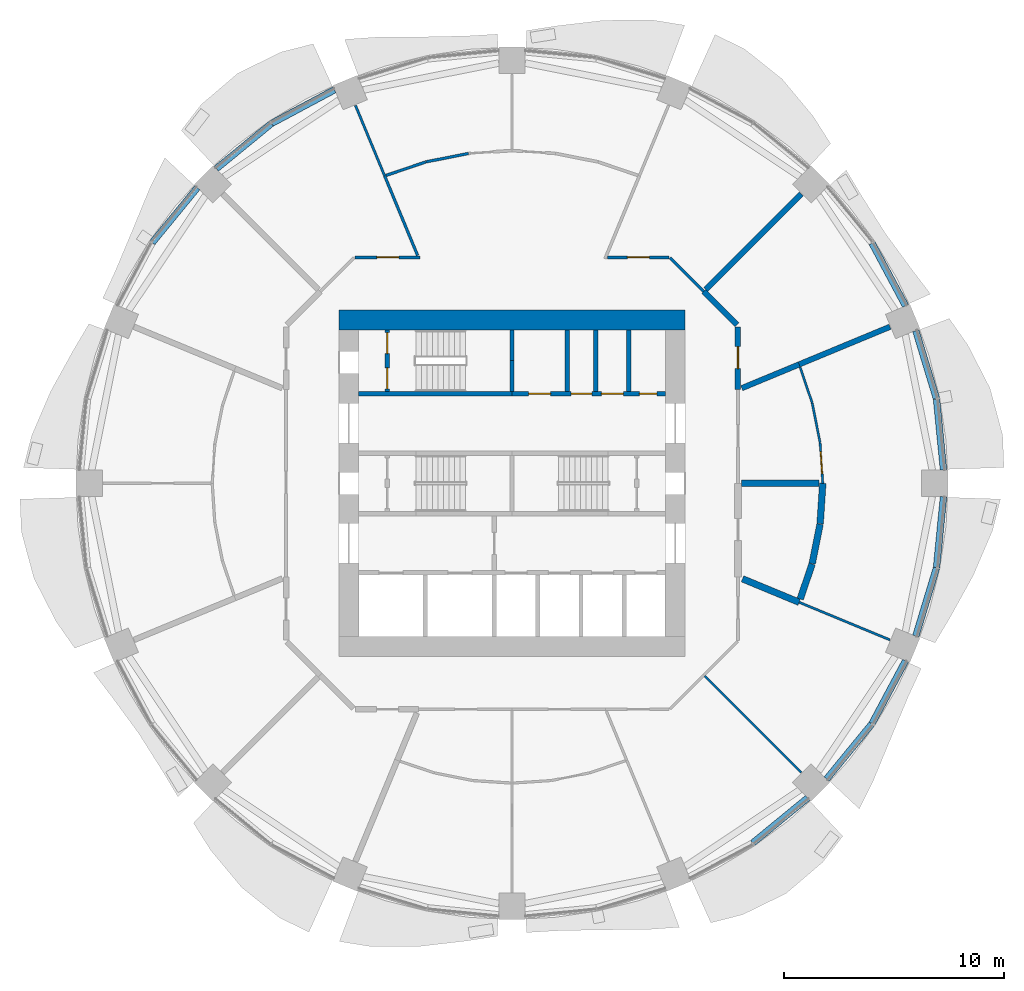
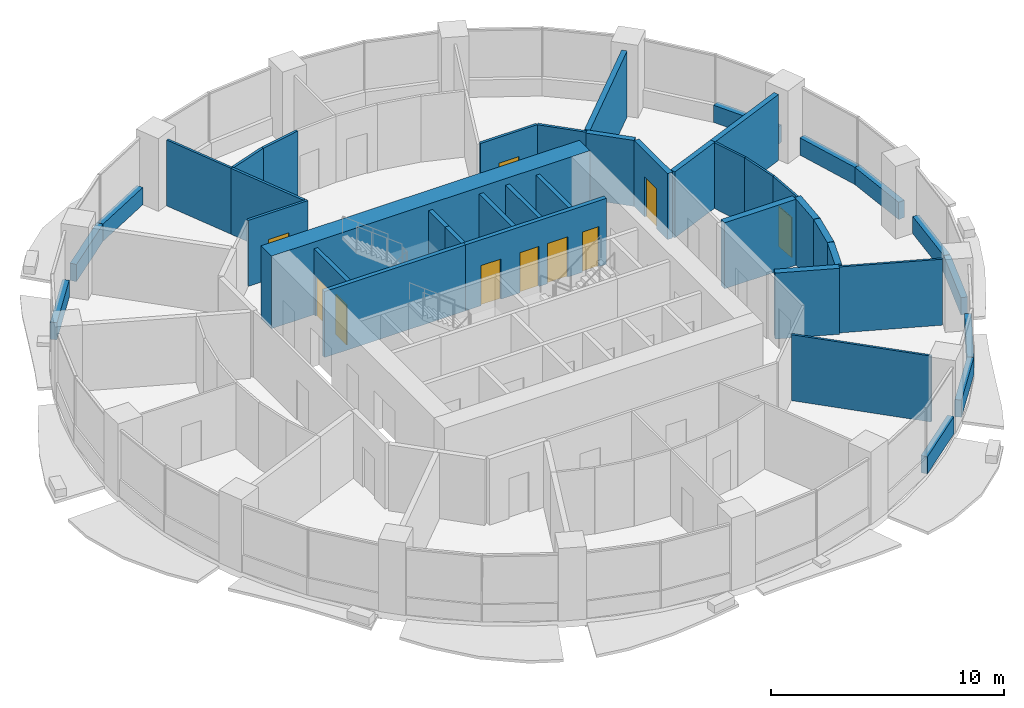
# One storey, part 10 of 15: 42 walls, 10 doors, 10 openings.
"""IFC4 building model written with IfcOpenShell, lengths in metres."""

from ifc_helpers import new_model, si_unit, direction, frame, frame_2d, origin, place, context, subcontext, project, spatial, rectangle, extrude, material, layer, layer_set, type_object, element, fill, save


model = new_model("IFC4")

# Units and contexts
model_context = context("Model", 3, precision=1e-05, world=origin(), true_north=direction((0.0, 1.0)))
body_context = subcontext(model_context, "Body", "Model", "MODEL_VIEW")
ifc_project = project(units=[si_unit("LENGTHUNIT", "METRE"), si_unit("AREAUNIT", "SQUARE_METRE"), si_unit("VOLUMEUNIT", "CUBIC_METRE"), si_unit("PLANEANGLEUNIT", "RADIAN"), si_unit("MASSUNIT", "GRAM", prefix="KILO")], contexts=[model_context])

# Site, building, storey
site_placement = place(None, origin())
site = spatial("IfcSite", under=ifc_project, at=site_placement, CompositionType="ELEMENT")
building_placement = place(site_placement, origin())
building = spatial("IfcBuilding", under=site, at=building_placement, Name="Polderwave Tower", CompositionType="ELEMENT")
storey_placement = place(building_placement, frame((0.0, 0.0, 22.39990234375)))
storey = spatial("IfcBuildingStorey", under=building, at=storey_placement, Name="L05", CompositionType="ELEMENT", Elevation=22.39990234375)

# Walls
ifc_material_1 = material(Name="Concrete C80/95", Category="concrete")
ifc_layer_1 = layer(ifc_material_1, 0.89990234375)
ifc_layer_set_1 = layer_set([ifc_layer_1], Name="CORE WALL 900 C80/95")
wall_type_1 = type_object("IfcWallType", Name="CORE WALL 900 C80/95", PredefinedType="SHEAR", material=ifc_layer_set_1)
wall_1_placement = place(storey_placement, frame((-7.8740234375, 7.424072265625, 0.0), z_axis=(0.0, 0.0, 1.0), x_axis=(1.0, 0.0, 0.0)))
element("IfcWall", 1, at=wall_1_placement, inside=storey, type_object=wall_type_1, Name="ST-CORE-L05-N", PredefinedType="SHEAR", context=body_context, shape_type="SweptSolid", body=[
    extrude(rectangle(XDim=15.748046875, YDim=0.89990234375, at=frame_2d((7.8740234375, 0.0))), origin(), (0.0, 0.0, 1.0), 3.800048828125),
])
ifc_material_2 = material(Name="Insulated sandwich panel")
ifc_layer_2 = layer(ifc_material_2, 0.300048828125)
ifc_layer_set_2 = layer_set([ifc_layer_2], Name="Cold room wall 300 mm insulated panel")
wall_type_2 = type_object("IfcWallType", Name="Cold room wall 300 mm insulated panel", PredefinedType="PARTITIONING", material=ifc_layer_set_2)
wall_2_placement = place(storey_placement, frame((13.10595703125, -5.255615234375, 0.0), z_axis=(0.0, 0.0, 1.0), x_axis=(0.321373224919, 0.946952612492, 0.0)))
element("IfcWall", 2, at=wall_2_placement, inside=storey, type_object=wall_type_2, Name="IN-L05-W027", PredefinedType="PARTITIONING", context=body_context, shape_type="SweptSolid", body=[
    extrude(rectangle(XDim=1.67822265625, YDim=0.300048828125, at=frame_2d((0.839111328125, 0.0))), origin(), (0.0, 0.0, 1.0), 3.4501953125),
])
wall_3_placement = place(storey_placement, frame((13.650390625, -3.6474609375, 0.0), z_axis=(0.0, 0.0, 1.0), x_axis=(0.195063319014, 0.980790651248, 0.0)))
element("IfcWall", 3, at=wall_3_placement, inside=storey, type_object=wall_type_2, Name="IN-L05-W028", PredefinedType="PARTITIONING", context=body_context, shape_type="SweptSolid", body=[
    extrude(rectangle(XDim=1.82861328125, YDim=0.300048828125, at=frame_2d((0.914306640625, 0.0))), origin(), (0.0, 0.0, 1.0), 3.4501953125),
])
wall_4_placement = place(storey_placement, frame((14.009765625, -1.83447265625, 0.0), z_axis=(0.0, 0.0, 1.0), x_axis=(0.065337861842, 0.997863198946, 0.0)))
element("IfcWall", 4, at=wall_4_placement, inside=storey, type_object=wall_type_2, Name="IN-L05-W029", PredefinedType="PARTITIONING", context=body_context, shape_type="SweptSolid", body=[
    extrude(rectangle(XDim=1.83837890625, YDim=0.300048828125, at=frame_2d((0.919189453125, 0.0))), origin(), (0.0, 0.0, 1.0), 3.4501953125),
])
wall_5_placement = place(storey_placement, frame((13.9697265625, 0.0, 0.0), z_axis=(0.0, 0.0, 1.0), x_axis=(-1.0, 0.0, 0.0)))
element("IfcWall", 5, at=wall_5_placement, inside=storey, type_object=wall_type_2, Name="IN-L05-W031", PredefinedType="PARTITIONING", context=body_context, shape_type="SweptSolid", body=[
    extrude(rectangle(XDim=3.545654296875, YDim=0.300048828125, at=frame_2d((1.77294921875, 0.0))), origin(), (0.0, 0.0, 1.0), 3.4501953125),
])
wall_6_placement = place(storey_placement, frame((10.4814453125, -4.341552734375, 0.0), z_axis=(0.0, 0.0, 1.0), x_axis=(0.923891828378, -0.382653746168, 0.0)))
element("IfcWall", 6, at=wall_6_placement, inside=storey, type_object=wall_type_2, Name="IN-L05-W070", PredefinedType="PARTITIONING", context=body_context, shape_type="SweptSolid", body=[
    extrude(rectangle(XDim=2.784912109375, YDim=0.300048828125, at=frame_2d((1.392578125, 0.0))), origin(), (0.0, 0.0, 1.0), 3.4501953125),
])
ifc_material_3 = material(Name="Concrete C50/60 (board-marked)", Category="concrete")
ifc_layer_3 = layer(ifc_material_3, 0.300048828125)
ifc_layer_set_3 = layer_set([ifc_layer_3], Name="Concrete spandrel upstand C50/60")
wall_type_3 = type_object("IfcWallType", Name="Concrete spandrel upstand C50/60", PredefinedType="SOLIDWALL", material=ifc_layer_set_3)
wall_7_placement = place(storey_placement, frame((19.619384765625, 0.61279296875, 0.0), z_axis=(0.0, 0.0, 1.0), x_axis=(-0.097900553906, 0.995196202537, 0.0)))
element("IfcWall", 7, at=wall_7_placement, inside=storey, type_object=wall_type_3, Name="Spandrel L05 1a", PredefinedType="SOLIDWALL", context=body_context, shape_type="SweptSolid", body=[
    extrude(rectangle(XDim=3.226806640625, YDim=0.300048828125, at=frame_2d((1.61328125, 0.0))), origin(), (0.0, 0.0, 1.0), 0.900146484375),
])
wall_8_placement = place(storey_placement, frame((19.297607421875, 3.853515625, 0.0), z_axis=(0.0, 0.0, 1.0), x_axis=(-0.290505111592, 0.95687343998, 0.0)))
element("IfcWall", 8, at=wall_8_placement, inside=storey, type_object=wall_type_3, Name="Spandrel L05 1b", PredefinedType="SOLIDWALL", context=body_context, shape_type="SweptSolid", body=[
    extrude(rectangle(XDim=3.226318359375, YDim=0.300048828125, at=frame_2d((1.61328125, 0.0))), origin(), (0.0, 0.0, 1.0), 0.900146484375),
])
for number, where, z_axis, x_axis, name in (
    (9, (17.890869140625, 8.07421875, 0.0), (0.0, 0.0, 1.0), (-0.471322475968, 0.881960953585, 0.0), "Spandrel L05 2a"),
    (10, (-8.07421875, 17.890869140625, 0.0), (0.0, 0.0, 1.0), (-0.881960953585, -0.471322475968, 0.0), "Spandrel L05 6a"),
    (11, (-10.944580078125, 16.353515625, 0.0), (0.0, 0.0, 1.0), (-0.773252207812, -0.634098591004, 0.0), "Spandrel L05 6b"),
    (12, (-14.3076171875, 13.439453125, 0.0), (0.0, 0.0, 1.0), (-0.634098591004, -0.773252207812, 0.0), "Spandrel L05 7a"),
    (13, (10.944580078125, -16.353515625, 0.0), (0.0, 0.0, 1.0), (0.773252207812, 0.634098591004, 0.0), "Spandrel L05 14b"),
    (14, (14.3076171875, -13.439453125, 0.0), (0.0, 0.0, 1.0), (0.634098591004, 0.773252207812, 0.0), "Spandrel L05 15a"),
    (15, (16.3701171875, -10.919921875, 0.0), (0.0, 0.0, 1.0), (0.471322475968, 0.881960953585, 0.0), "Spandrel L05 15b"),
):
    element("IfcWall", number, at=place(storey_placement, frame(where, z_axis=z_axis, x_axis=x_axis)), inside=storey, type_object=wall_type_3, Name=name, PredefinedType="SOLIDWALL", context=body_context, shape_type="SweptSolid", body=[
        extrude(rectangle(XDim=3.2265625, YDim=0.300048828125, at=frame_2d((1.61328125, 0.0))), origin(), (0.0, 0.0, 1.0), 0.900146484375),
    ])
wall_9_placement = place(storey_placement, frame((18.3603515625, -6.940673828125, 0.0), z_axis=(0.0, 0.0, 1.0), x_axis=(0.290505111592, 0.95687343998, 0.0)))
element("IfcWall", 16, at=wall_9_placement, inside=storey, type_object=wall_type_3, Name="Spandrel L05 16a", PredefinedType="SOLIDWALL", context=body_context, shape_type="SweptSolid", body=[
    extrude(rectangle(XDim=3.226318359375, YDim=0.300048828125, at=frame_2d((1.61328125, 0.0))), origin(), (0.0, 0.0, 1.0), 0.900146484375),
])
wall_10_placement = place(storey_placement, frame((19.303466796875, -3.82421875, 0.0), z_axis=(0.0, 0.0, 1.0), x_axis=(0.097900553906, 0.995196202537, 0.0)))
element("IfcWall", 17, at=wall_10_placement, inside=storey, type_object=wall_type_3, Name="Spandrel L05 16b", PredefinedType="SOLIDWALL", context=body_context, shape_type="SweptSolid", body=[
    extrude(rectangle(XDim=3.226806640625, YDim=0.300048828125, at=frame_2d((1.61328125, 0.0))), origin(), (0.0, 0.0, 1.0), 0.900146484375),
])
ifc_material_4 = material(Name="Gypsum board partition")
ifc_layer_4 = layer(ifc_material_4, 0.199951171875)
ifc_layer_set_4 = layer_set([ifc_layer_4], Name="Core room partition 200")
wall_type_4 = type_object("IfcWallType", Name="Core room partition 200", PredefinedType="PARTITIONING", material=ifc_layer_set_4)
for number, where, z_axis, x_axis, name in (
    (18, (2.506591796875, 4.174072265625, 0.0), (0.0, 0.0, 1.0), (0.0, 1.0, 0.0), "L05 room partition N1"),
    (19, (3.813720703125, 4.174072265625, 0.0), (0.0, 0.0, 1.0), (0.0, 1.0, 0.0), "L05 room partition N2"),
):
    element("IfcWall", number, at=place(storey_placement, frame(where, z_axis=z_axis, x_axis=x_axis)), inside=storey, type_object=wall_type_4, Name=name, PredefinedType="PARTITIONING", context=body_context, shape_type="SweptSolid", body=[
        extrude(rectangle(XDim=2.800048828125, YDim=0.199951171875, at=frame_2d((1.39990234375, 0.0))), origin(), (0.0, 0.0, 1.0), 3.4501953125),
    ])

# Wall, openings, doors
wall_11_placement = place(storey_placement, frame((-5.674072265625, 4.174072265625, 0.0), z_axis=(0.0, 0.0, 1.0), x_axis=(0.0, 1.0, 0.0)))
wall_11 = element("IfcWall", 20, at=wall_11_placement, inside=storey, type_object=wall_type_4, Name="L05 smoke lobby wall C", PredefinedType="PARTITIONING", context=body_context, shape_type="SweptSolid", body=[
    extrude(rectangle(XDim=2.800048828125, YDim=0.199951171875, at=frame_2d((1.39990234375, 0.0))), origin(), (0.0, 0.0, 1.0), 3.4501953125),
])
opening_1_placement = place(wall_11_placement, frame((0.125, 0.0, 0.0)))
opening_1 = element("IfcOpeningElement", 21, at=opening_1_placement, cuts=wall_11, Name="Opening L05-D11", PredefinedType="OPENING", context=body_context, shape_type="SweptSolid", body=[
    extrude(rectangle(XDim=0.949951171875, YDim=2.10009765625, at=frame_2d((0.47509765625, 1.050048828125))), frame((0.0, 0.10986328125, 0.0), z_axis=(0.0, -1.0, 0.0), x_axis=(1.0, 0.0, 0.0)), (0.0, 0.0, 1.0), 0.219970703125),
])
opening_2_placement = place(wall_11_placement, frame((1.72509765625, 0.0, 0.0)))
opening_2 = element("IfcOpeningElement", 22, at=opening_2_placement, cuts=wall_11, Name="Opening L05-D12", PredefinedType="OPENING", context=body_context, shape_type="SweptSolid", body=[
    extrude(rectangle(XDim=0.949951171875, YDim=2.10009765625, at=frame_2d((0.47509765625, 1.050048828125))), frame((0.0, 0.10986328125, 0.0), z_axis=(0.0, -1.0, 0.0), x_axis=(1.0, 0.0, 0.0)), (0.0, 0.0, 1.0), 0.219970703125),
])
ifc_material_5 = material(Name="Steel fire door", Category="steel")
door_type_1 = type_object("IfcDoorType", Name="Smoke lobby door 950", OperationType="NOTDEFINED", PredefinedType="DOOR", material=ifc_material_5)
door_1_placement = place(opening_1_placement, origin())
door_1 = element("IfcDoor", 23, at=door_1_placement, inside=storey, type_object=door_type_1, Name="Stair C smoke lobby inner door", OperationType="SINGLE_SWING_LEFT", OverallHeight=2.10009765625, OverallWidth=0.949951171875, PredefinedType="DOOR", context=body_context, shape_type="SweptSolid", body=[
    extrude(rectangle(XDim=0.949951171875, YDim=2.10009765625, at=frame_2d((0.47509765625, 1.050048828125))), frame((0.0, 0.02490234375, 0.0), z_axis=(0.0, -1.0, 0.0), x_axis=(1.0, 0.0, 0.0)), (0.0, 0.0, 1.0), 0.050048828125),
])
fill(opening_1, door_1)
door_2_placement = place(opening_2_placement, origin())
door_2 = element("IfcDoor", 24, at=door_2_placement, inside=storey, type_object=door_type_1, Name="Stair C smoke lobby inner door", OperationType="SINGLE_SWING_RIGHT", OverallHeight=2.10009765625, OverallWidth=0.949951171875, PredefinedType="DOOR", context=body_context, shape_type="SweptSolid", body=[
    extrude(rectangle(XDim=0.949951171875, YDim=2.10009765625, at=frame_2d((0.47509765625, 1.050048828125))), frame((0.0, 0.02490234375, 0.0), z_axis=(0.0, -1.0, 0.0), x_axis=(1.0, 0.0, 0.0)), (0.0, 0.0, 1.0), 0.050048828125),
])
fill(opening_2, door_2)

# Wall
ifc_material_6 = material(Name="Concrete C50/60", Category="concrete")
ifc_layer_5 = layer(ifc_material_6, 0.199951171875)
ifc_layer_set_5 = layer_set([ifc_layer_5], Name="Core web wall 200")
wall_type_5 = type_object("IfcWallType", Name="Core web wall 200", PredefinedType="SHEAR", material=ifc_layer_set_5)
wall_12_placement = place(storey_placement, frame((-6.97412109375, 4.073974609375, 0.0), z_axis=(0.0, 0.0, 1.0), x_axis=(1.0, 0.0, 0.0)))
element("IfcWall", 25, at=wall_12_placement, inside=storey, type_object=wall_type_5, Name="L05 north front wall 1", PredefinedType="SHEAR", context=body_context, shape_type="SweptSolid", body=[
    extrude(rectangle(XDim=6.97412109375, YDim=0.199951171875, at=frame_2d((3.487060546875, 0.0))), origin(), (0.0, 0.0, 1.0), 3.4501953125),
])

# Wall, openings, doors
wall_13_placement = place(storey_placement, frame((0.0, 4.073974609375, 0.0), z_axis=(0.0, 0.0, 1.0), x_axis=(1.0, 0.0, 0.0)))
wall_13 = element("IfcWall", 26, at=wall_13_placement, inside=storey, type_object=wall_type_5, Name="L05 north front wall 2", PredefinedType="SHEAR", context=body_context, shape_type="SweptSolid", body=[
    extrude(rectangle(XDim=6.97412109375, YDim=0.199951171875, at=frame_2d((3.487060546875, 0.0))), origin(), (0.0, 0.0, 1.0), 3.4501953125),
])
opening_3_placement = place(wall_13_placement, frame((0.75341796875, 0.0, 0.0)))
opening_3 = element("IfcOpeningElement", 27, at=opening_3_placement, cuts=wall_13, Name="Opening L05-D14", PredefinedType="OPENING", context=body_context, shape_type="SweptSolid", body=[
    extrude(rectangle(XDim=1.0, YDim=2.10009765625, at=frame_2d((0.5, 1.050048828125))), frame((0.0, 0.10986328125, 0.0), z_axis=(0.0, -1.0, 0.0), x_axis=(1.0, 0.0, 0.0)), (0.0, 0.0, 1.0), 0.219970703125),
])
opening_4_placement = place(wall_13_placement, frame((2.685302734375, 0.0, 0.0)))
opening_4 = element("IfcOpeningElement", 28, at=opening_4_placement, cuts=wall_13, Name="Opening L05-D15", PredefinedType="OPENING", context=body_context, shape_type="SweptSolid", body=[
    extrude(rectangle(XDim=0.949951171875, YDim=2.10009765625, at=frame_2d((0.47509765625, 1.050048828125))), frame((0.0, 0.10986328125, 0.0), z_axis=(0.0, -1.0, 0.0), x_axis=(1.0, 0.0, 0.0)), (0.0, 0.0, 1.0), 0.219970703125),
])
opening_5_placement = place(wall_13_placement, frame((4.0595703125, 0.0, 0.0)))
opening_5 = element("IfcOpeningElement", 29, at=opening_5_placement, cuts=wall_13, Name="Opening L05-D16", PredefinedType="OPENING", context=body_context, shape_type="SweptSolid", body=[
    extrude(rectangle(XDim=1.0, YDim=2.10009765625, at=frame_2d((0.5, 1.050048828125))), frame((0.0, 0.10986328125, 0.0), z_axis=(0.0, -1.0, 0.0), x_axis=(1.0, 0.0, 0.0)), (0.0, 0.0, 1.0), 0.219970703125),
])
opening_6_placement = place(wall_13_placement, frame((5.789794921875, 0.0, 0.0)))
opening_6 = element("IfcOpeningElement", 30, at=opening_6_placement, cuts=wall_13, Name="Opening L05-D17", PredefinedType="OPENING", context=body_context, shape_type="SweptSolid", body=[
    extrude(rectangle(XDim=0.800048828125, YDim=2.10009765625, at=frame_2d((0.39990234375, 1.050048828125))), frame((0.0, 0.10986328125, 0.0), z_axis=(0.0, -1.0, 0.0), x_axis=(1.0, 0.0, 0.0)), (0.0, 0.0, 1.0), 0.219970703125),
])
door_type_2 = type_object("IfcDoorType", Name="Riser door 800", OperationType="NOTDEFINED", PredefinedType="DOOR", material=ifc_material_5)
door_3_placement = place(opening_6_placement, frame((0.800048828125, 0.0, 0.0), z_axis=(0.0, 0.0, 1.0), x_axis=(-1.0, 0.0, 0.0)))
door_3 = element("IfcDoor", 31, at=door_3_placement, inside=storey, type_object=door_type_2, Name="Riser door", OperationType="SINGLE_SWING_LEFT", OverallHeight=2.10009765625, OverallWidth=0.800048828125, PredefinedType="DOOR", context=body_context, shape_type="SweptSolid", body=[
    extrude(rectangle(XDim=0.800048828125, YDim=2.10009765625, at=frame_2d((0.39990234375, 1.050048828125))), frame((0.0, 0.02490234375, 0.0), z_axis=(0.0, -1.0, 0.0), x_axis=(1.0, 0.0, 0.0)), (0.0, 0.0, 1.0), 0.050048828125),
])
fill(opening_6, door_3)
ifc_material_7 = material(Name="Timber door leaf", Category="wood")
door_type_3 = type_object("IfcDoorType", Name="Room door 1000", OperationType="NOTDEFINED", PredefinedType="DOOR", material=ifc_material_7)
door_4_placement = place(opening_3_placement, origin())
door_4 = element("IfcDoor", 32, at=door_4_placement, inside=storey, type_object=door_type_3, Name="Seed store door", OperationType="SINGLE_SWING_LEFT", OverallHeight=2.10009765625, OverallWidth=1.0, PredefinedType="DOOR", context=body_context, shape_type="SweptSolid", body=[
    extrude(rectangle(XDim=1.0, YDim=2.10009765625, at=frame_2d((0.5, 1.050048828125))), frame((0.0, 0.02490234375, 0.0), z_axis=(0.0, -1.0, 0.0), x_axis=(1.0, 0.0, 0.0)), (0.0, 0.0, 1.0), 0.050048828125),
])
fill(opening_3, door_4)
door_5_placement = place(opening_5_placement, origin())
door_5 = element("IfcDoor", 33, at=door_5_placement, inside=storey, type_object=door_type_3, Name="Staff WC door", OperationType="SINGLE_SWING_RIGHT", OverallHeight=2.10009765625, OverallWidth=1.0, PredefinedType="DOOR", context=body_context, shape_type="SweptSolid", body=[
    extrude(rectangle(XDim=1.0, YDim=2.10009765625, at=frame_2d((0.5, 1.050048828125))), frame((0.0, 0.02490234375, 0.0), z_axis=(0.0, -1.0, 0.0), x_axis=(1.0, 0.0, 0.0)), (0.0, 0.0, 1.0), 0.050048828125),
])
fill(opening_5, door_5)
door_type_4 = type_object("IfcDoorType", Name="Room door 950", OperationType="NOTDEFINED", PredefinedType="DOOR", material=ifc_material_7)
door_6_placement = place(opening_4_placement, origin())
door_6 = element("IfcDoor", 34, at=door_6_placement, inside=storey, type_object=door_type_4, Name="Cleaner's store door", OperationType="SINGLE_SWING_LEFT", OverallHeight=2.10009765625, OverallWidth=0.949951171875, PredefinedType="DOOR", context=body_context, shape_type="SweptSolid", body=[
    extrude(rectangle(XDim=0.949951171875, YDim=2.10009765625, at=frame_2d((0.47509765625, 1.050048828125))), frame((0.0, 0.02490234375, 0.0), z_axis=(0.0, -1.0, 0.0), x_axis=(1.0, 0.0, 0.0)), (0.0, 0.0, 1.0), 0.050048828125),
])
fill(opening_4, door_6)

# Walls
wall_14_placement = place(storey_placement, frame((0.0, 4.174072265625, 0.0), z_axis=(0.0, 0.0, 1.0), x_axis=(0.0, 1.0, 0.0)))
element("IfcWall", 35, at=wall_14_placement, inside=storey, type_object=wall_type_5, Name="L05 stair C wall south", PredefinedType="SHEAR", context=body_context, shape_type="SweptSolid", body=[
    extrude(rectangle(XDim=1.39990234375, YDim=0.199951171875, at=frame_2d((0.699951171875, 0.0))), origin(), (0.0, 0.0, 1.0), 3.4501953125),
])
wall_15_placement = place(storey_placement, frame((0.0, 5.573974609375, 0.0), z_axis=(0.0, 0.0, 1.0), x_axis=(0.0, 1.0, 0.0)))
element("IfcWall", 36, at=wall_15_placement, inside=storey, type_object=wall_type_5, Name="L05 stair C wall north", PredefinedType="SHEAR", context=body_context, shape_type="SweptSolid", body=[
    extrude(rectangle(XDim=1.400146484375, YDim=0.199951171875, at=frame_2d((0.7001953125, 0.0))), origin(), (0.0, 0.0, 1.0), 3.4501953125),
])

# Wall, opening, door
ifc_material_8 = material(Name="Fire-resisting board on steel studs", Category="steel")
ifc_layer_6 = layer(ifc_material_8, 0.125)
ifc_layer_set_6 = layer_set([ifc_layer_6], Name="Corridor wall 125 mm EI 60")
wall_type_6 = type_object("IfcWallType", Name="Corridor wall 125 mm EI 60", PredefinedType="PARTITIONING", material=ifc_layer_set_6)
wall_16_placement = place(storey_placement, frame((4.34912109375, 10.27392578125, 0.0), z_axis=(0.0, 0.0, 1.0), x_axis=(1.0, 0.0, 0.0)))
wall_16 = element("IfcWall", 37, at=wall_16_placement, inside=storey, type_object=wall_type_6, Name="IN-L05-W007", PredefinedType="PARTITIONING", context=body_context, shape_type="SweptSolid", body=[
    extrude(rectangle(XDim=2.796142578125, YDim=0.125, at=frame_2d((1.39794921875, 0.0))), origin(), (0.0, 0.0, 1.0), 3.4501953125),
])
opening_7_placement = place(wall_16_placement, frame((0.89990234375, 0.0, 0.0)))
opening_7 = element("IfcOpeningElement", 38, at=opening_7_placement, cuts=wall_16, Name="Opening L05-D54", PredefinedType="OPENING", context=body_context, shape_type="SweptSolid", body=[
    extrude(rectangle(XDim=1.0, YDim=2.10009765625, at=frame_2d((0.5, 1.050048828125))), frame((0.0, 0.072509765625, 0.0), z_axis=(0.0, -1.0, 0.0), x_axis=(1.0, 0.0, 0.0)), (0.0, 0.0, 1.0), 0.14501953125),
])
ifc_material_9 = material(Name="Timber fire door leaf", Category="wood")
door_type_5 = type_object("IfcDoorType", Name="Fire door FD30S 1000 x 2100", OperationType="NOTDEFINED", PredefinedType="DOOR", material=ifc_material_9)
door_7_placement = place(opening_7_placement, origin())
door_7 = element("IfcDoor", 39, at=door_7_placement, inside=storey, type_object=door_type_5, Name="Door L05-D54", OperationType="SINGLE_SWING_RIGHT", OverallHeight=2.10009765625, OverallWidth=1.0, PredefinedType="DOOR", context=body_context, shape_type="SweptSolid", body=[
    extrude(rectangle(XDim=1.0, YDim=2.10009765625, at=frame_2d((0.5, 1.050048828125))), frame((0.0, 0.02490234375, 0.0), z_axis=(0.0, -1.0, 0.0), x_axis=(1.0, 0.0, 0.0)), (0.0, 0.0, 1.0), 0.050048828125),
])
fill(opening_7, door_7)

# Wall
wall_17_placement = place(storey_placement, frame((7.189453125, 10.255615234375, 0.0), z_axis=(0.0, 0.0, 1.0), x_axis=(0.707050476152, -0.707163081738, 0.0)))
element("IfcWall", 40, at=wall_17_placement, inside=storey, type_object=wall_type_6, Name="IN-L05-W008", PredefinedType="PARTITIONING", context=body_context, shape_type="SweptSolid", body=[
    extrude(rectangle(XDim=2.168212890625, YDim=0.125, at=frame_2d((1.083984375, 0.0))), origin(), (0.0, 0.0, 1.0), 3.4501953125),
])

# Wall, opening, door
wall_18_placement = place(storey_placement, frame((-7.145263671875, 10.27392578125, 0.0), z_axis=(0.0, 0.0, 1.0), x_axis=(1.0, 0.0, 0.0)))
wall_18 = element("IfcWall", 41, at=wall_18_placement, inside=storey, type_object=wall_type_6, Name="IN-L05-W010", PredefinedType="PARTITIONING", context=body_context, shape_type="SweptSolid", body=[
    extrude(rectangle(XDim=2.9521484375, YDim=0.125, at=frame_2d((1.47607421875, 0.0))), origin(), (0.0, 0.0, 1.0), 3.4501953125),
])
opening_8_placement = place(wall_18_placement, frame((1.0, 0.0, 0.0)))
opening_8 = element("IfcOpeningElement", 42, at=opening_8_placement, cuts=wall_18, Name="Opening L05-D55", PredefinedType="OPENING", context=body_context, shape_type="SweptSolid", body=[
    extrude(rectangle(XDim=1.0, YDim=2.10009765625, at=frame_2d((0.5, 1.050048828125))), frame((0.0, 0.072509765625, 0.0), z_axis=(0.0, -1.0, 0.0), x_axis=(1.0, 0.0, 0.0)), (0.0, 0.0, 1.0), 0.14501953125),
])
door_8_placement = place(opening_8_placement, origin())
door_8 = element("IfcDoor", 43, at=door_8_placement, inside=storey, type_object=door_type_5, Name="Door L05-D55", OperationType="SINGLE_SWING_RIGHT", OverallHeight=2.10009765625, OverallWidth=1.0, PredefinedType="DOOR", context=body_context, shape_type="SweptSolid", body=[
    extrude(rectangle(XDim=1.0, YDim=2.10009765625, at=frame_2d((0.5, 1.050048828125))), frame((0.0, 0.02490234375, 0.0), z_axis=(0.0, -1.0, 0.0), x_axis=(1.0, 0.0, 0.0)), (0.0, 0.0, 1.0), 0.050048828125),
])
fill(opening_8, door_8)

# Walls
wall_19_placement = place(storey_placement, frame((-5.726806640625, 13.999755859375, 0.0), z_axis=(0.0, 0.0, 1.0), x_axis=(0.946902903594, 0.321519659064, 0.0)))
element("IfcWall", 44, at=wall_19_placement, inside=storey, type_object=wall_type_6, Name="IN-L05-W039", PredefinedType="PARTITIONING", context=body_context, shape_type="SweptSolid", body=[
    extrude(rectangle(XDim=1.908203125, YDim=0.125, at=frame_2d((0.9541015625, 0.0))), origin(), (0.0, 0.0, 1.0), 3.4501953125),
])
wall_20_placement = place(storey_placement, frame((-3.911865234375, 14.615234375, 0.0), z_axis=(0.0, 0.0, 1.0), x_axis=(0.980780283586, 0.195115441032, 0.0)))
element("IfcWall", 45, at=wall_20_placement, inside=storey, type_object=wall_type_6, Name="IN-L05-W040", PredefinedType="PARTITIONING", context=body_context, shape_type="SweptSolid", body=[
    extrude(rectangle(XDim=1.970703125, YDim=0.125, at=frame_2d((0.9853515625, 0.0))), origin(), (0.0, 0.0, 1.0), 3.4501953125),
])
wall_21_placement = place(storey_placement, frame((-4.29150390625, 10.3603515625, 0.0), z_axis=(0.0, 0.0, 1.0), x_axis=(-0.382671151459, 0.923884619334, 0.0)))
element("IfcWall", 46, at=wall_21_placement, inside=storey, type_object=wall_type_6, Name="IN-L05-W042", PredefinedType="PARTITIONING", context=body_context, shape_type="SweptSolid", body=[
    extrude(rectangle(XDim=3.916015625, YDim=0.125, at=frame_2d((1.9580078125, 0.0))), origin(), (0.0, 0.0, 1.0), 3.4501953125),
])
ifc_material_10 = material(Name="Plasterboard on steel studs", Category="steel")
ifc_layer_7 = layer(ifc_material_10, 0.10009765625)
ifc_layer_set_7 = layer_set([ifc_layer_7], Name="Partition 100 mm plasterboard on steel studs")
wall_type_7 = type_object("IfcWallType", Name="Partition 100 mm plasterboard on steel studs", PredefinedType="PARTITIONING", material=ifc_layer_set_7)
wall_22_placement = place(storey_placement, frame((13.6474609375, 3.66015625, 0.0), z_axis=(0.0, 0.0, 1.0), x_axis=(-0.321428439626, 0.946933872137, 0.0)))
element("IfcWall", 47, at=wall_22_placement, inside=storey, type_object=wall_type_7, Name="IN-L05-W022", PredefinedType="PARTITIONING", context=body_context, shape_type="SweptSolid", body=[
    extrude(rectangle(XDim=1.716552734375, YDim=0.10009765625, at=frame_2d((0.8583984375, 0.0))), origin(), (0.0, 0.0, 1.0), 3.4501953125),
])
wall_23_placement = place(storey_placement, frame((14.008544921875, 1.847412109375, 0.0), z_axis=(0.0, 0.0, 1.0), x_axis=(-0.195121867222, 0.980779005144, 0.0)))
element("IfcWall", 48, at=wall_23_placement, inside=storey, type_object=wall_type_7, Name="IN-L05-W023", PredefinedType="PARTITIONING", context=body_context, shape_type="SweptSolid", body=[
    extrude(rectangle(XDim=1.841796875, YDim=0.10009765625, at=frame_2d((0.9208984375, 0.0))), origin(), (0.0, 0.0, 1.0), 3.4501953125),
])

# Wall, opening, door
wall_24_placement = place(storey_placement, frame((14.00927734375, 1.841064453125, 0.0), z_axis=(0.0, 0.0, 1.0), x_axis=(0.065368443291, -0.99786119607, 0.0)))
wall_24 = element("IfcWall", 49, at=wall_24_placement, inside=storey, type_object=wall_type_7, Name="IN-L05-W024", PredefinedType="PARTITIONING", context=body_context, shape_type="SweptSolid", body=[
    extrude(rectangle(XDim=1.844970703125, YDim=0.10009765625, at=frame_2d((0.92236328125, 0.0))), origin(), (0.0, 0.0, 1.0), 3.4501953125),
])
opening_9_placement = place(wall_24_placement, frame((0.39990234375, 0.0, 0.0)))
opening_9 = element("IfcOpeningElement", 50, at=opening_9_placement, cuts=wall_24, Name="Opening L05-D63", PredefinedType="OPENING", context=body_context, shape_type="SweptSolid", body=[
    extrude(rectangle(XDim=1.0, YDim=2.10009765625, at=frame_2d((0.5, 1.050048828125))), frame((0.0, 0.06005859375, 0.0), z_axis=(0.0, -1.0, 0.0), x_axis=(1.0, 0.0, 0.0)), (0.0, 0.0, 1.0), 0.1201171875),
])
ifc_material_11 = material(Name="Timber veneer door leaf", Category="wood")
door_type_6 = type_object("IfcDoorType", Name="Single door 1000 x 2100", OperationType="NOTDEFINED", PredefinedType="DOOR", material=ifc_material_11)
door_9_placement = place(opening_9_placement, origin())
door_9 = element("IfcDoor", 51, at=door_9_placement, inside=storey, type_object=door_type_6, Name="Door L05-D63", OperationType="SINGLE_SWING_LEFT", OverallHeight=2.10009765625, OverallWidth=1.0, PredefinedType="DOOR", context=body_context, shape_type="SweptSolid", body=[
    extrude(rectangle(XDim=1.0, YDim=2.10009765625, at=frame_2d((0.5, 1.050048828125))), frame((0.0, 0.02490234375, 0.0), z_axis=(0.0, -1.0, 0.0), x_axis=(1.0, 0.0, 0.0)), (0.0, 0.0, 1.0), 0.050048828125),
])
fill(opening_9, door_9)

# Walls
ifc_material_12 = material(Name="Moisture-resistant board on steel studs, tiled", Category="steel")
ifc_layer_8 = layer(ifc_material_12, 0.10498046875)
ifc_layer_set_8 = layer_set([ifc_layer_8], Name="Partition 105 mm wet room board and tile")
wall_type_8 = type_object("IfcWallType", Name="Partition 105 mm wet room board and tile", PredefinedType="PARTITIONING", material=ifc_layer_set_8)
wall_25_placement = place(storey_placement, frame((17.18408203125, -7.117919921875, 0.0), z_axis=(0.0, 0.0, 1.0), x_axis=(-0.92386837853, 0.382710359347, 0.0)))
element("IfcWall", 52, at=wall_25_placement, inside=storey, type_object=wall_type_8, Name="IN-L05-W026", PredefinedType="PARTITIONING", context=body_context, shape_type="SweptSolid", body=[
    extrude(rectangle(XDim=4.469970703125, YDim=0.10498046875, at=frame_2d((2.23486328125, 0.0))), origin(), (0.0, 0.0, 1.0), 3.4501953125),
])
wall_26_placement = place(storey_placement, frame((8.7666015625, -8.7666015625, 0.0), z_axis=(0.0, 0.0, 1.0), x_axis=(0.707106781187, -0.707106781187, 0.0)))
element("IfcWall", 53, at=wall_26_placement, inside=storey, type_object=wall_type_8, Name="IN-L05-W069", PredefinedType="PARTITIONING", context=body_context, shape_type="SweptSolid", body=[
    extrude(rectangle(XDim=6.2021484375, YDim=0.10498046875, at=frame_2d((3.10107421875, 0.0))), origin(), (0.0, 0.0, 1.0), 3.4501953125),
])
ifc_material_13 = material(Name="Acoustic double plasterboard on steel studs", Category="steel")
ifc_layer_9 = layer(ifc_material_13, 0.110107421875)
ifc_layer_set_9 = layer_set([ifc_layer_9], Name="Partition 110 mm acoustic double board")
wall_type_9 = type_object("IfcWallType", Name="Partition 110 mm acoustic double board", PredefinedType="PARTITIONING", material=ifc_layer_set_9)
wall_27_placement = place(storey_placement, frame((-5.7900390625, 13.978271484375, 0.0), z_axis=(0.0, 0.0, 1.0), x_axis=(-0.382681133009, 0.923880484932, 0.0)))
element("IfcWall", 54, at=wall_27_placement, inside=storey, type_object=wall_type_9, Name="IN-L05-W043", PredefinedType="PARTITIONING", context=body_context, shape_type="SweptSolid", body=[
    extrude(rectangle(XDim=3.469970703125, YDim=0.110107421875, at=frame_2d((1.73486328125, 0.0))), origin(), (0.0, 0.0, 1.0), 3.4501953125),
])
ifc_material_14 = material(Name="Fire-resisting board on steel studs, mineral wool", Category="steel")
ifc_layer_10 = layer(ifc_material_14, 0.25)
ifc_layer_set_10 = layer_set([ifc_layer_10], Name="Plant room wall 250 mm EI 120")
wall_type_10 = type_object("IfcWallType", Name="Plant room wall 250 mm EI 120", PredefinedType="PARTITIONING", material=ifc_layer_set_10)
wall_28_placement = place(storey_placement, frame((8.722412109375, 8.722412109375, 0.0), z_axis=(0.0, 0.0, 1.0), x_axis=(0.707163762272, -0.707049795509, 0.0)))
element("IfcWall", 55, at=wall_28_placement, inside=storey, type_object=wall_type_10, Name="IN-L05-W002", PredefinedType="PARTITIONING", context=body_context, shape_type="SweptSolid", body=[
    extrude(rectangle(XDim=2.14208984375, YDim=0.25, at=frame_2d((1.071044921875, 0.0))), origin(), (0.0, 0.0, 1.0), 3.4501953125),
])

# Wall, opening, door
wall_29_placement = place(storey_placement, frame((10.27392578125, 7.119384765625, 0.0), z_axis=(0.0, 0.0, 1.0), x_axis=(0.0, -1.0, 0.0)))
wall_29 = element("IfcWall", 56, at=wall_29_placement, inside=storey, type_object=wall_type_10, Name="IN-L05-W003", PredefinedType="PARTITIONING", context=body_context, shape_type="SweptSolid", body=[
    extrude(rectangle(XDim=2.86376953125, YDim=0.25, at=frame_2d((1.431884765625, 0.0))), origin(), (0.0, 0.0, 1.0), 3.4501953125),
])
opening_10_placement = place(wall_29_placement, frame((0.89990234375, 0.0, 0.0)))
opening_10 = element("IfcOpeningElement", 57, at=opening_10_placement, cuts=wall_29, Name="Opening L05-D51", PredefinedType="OPENING", context=body_context, shape_type="SweptSolid", body=[
    extrude(rectangle(XDim=1.0, YDim=2.10009765625, at=frame_2d((0.5, 1.050048828125))), frame((0.0, 0.135009765625, 0.0), z_axis=(0.0, -1.0, 0.0), x_axis=(1.0, 0.0, 0.0)), (0.0, 0.0, 1.0), 0.27001953125),
])
ifc_material_15 = material(Name="Steel plant door leaf", Category="steel")
door_type_7 = type_object("IfcDoorType", Name="Plant door FD60 1000 x 2100 steel", OperationType="NOTDEFINED", PredefinedType="DOOR", material=ifc_material_15)
door_10_placement = place(opening_10_placement, origin())
door_10 = element("IfcDoor", 58, at=door_10_placement, inside=storey, type_object=door_type_7, Name="Door L05-D51", OperationType="SINGLE_SWING_LEFT", OverallHeight=2.10009765625, OverallWidth=1.0, PredefinedType="DOOR", context=body_context, shape_type="SweptSolid", body=[
    extrude(rectangle(XDim=1.0, YDim=2.10009765625, at=frame_2d((0.5, 1.050048828125))), frame((0.0, 0.02490234375, 0.0), z_axis=(0.0, -1.0, 0.0), x_axis=(1.0, 0.0, 0.0)), (0.0, 0.0, 1.0), 0.050048828125),
])
fill(opening_10, door_10)

# Walls
wall_30_placement = place(storey_placement, frame((13.054443359375, 5.4072265625, 0.0), z_axis=(0.0, 0.0, 1.0), x_axis=(0.92386837853, 0.382710359347, 0.0)))
element("IfcWall", 59, at=wall_30_placement, inside=storey, type_object=wall_type_10, Name="IN-L05-W025", PredefinedType="PARTITIONING", context=body_context, shape_type="SweptSolid", body=[
    extrude(rectangle(XDim=4.469970703125, YDim=0.25, at=frame_2d((2.23486328125, 0.0))), origin(), (0.0, 0.0, 1.0), 3.4501953125),
])
wall_31_placement = place(storey_placement, frame((10.44677734375, 4.3271484375, 0.0), z_axis=(0.0, 0.0, 1.0), x_axis=(0.923886109265, 0.382667554292, 0.0)))
element("IfcWall", 60, at=wall_31_placement, inside=storey, type_object=wall_type_10, Name="IN-L05-W030", PredefinedType="PARTITIONING", context=body_context, shape_type="SweptSolid", body=[
    extrude(rectangle(XDim=2.822509765625, YDim=0.25, at=frame_2d((1.4111328125, 0.0))), origin(), (0.0, 0.0, 1.0), 3.4501953125),
])
wall_32_placement = place(storey_placement, frame((13.152099609375, 13.152099609375, 0.0), z_axis=(0.0, 0.0, 1.0), x_axis=(-0.707106781187, -0.707106781187, 0.0)))
element("IfcWall", 61, at=wall_32_placement, inside=storey, type_object=wall_type_10, Name="IN-L05-W032", PredefinedType="PARTITIONING", context=body_context, shape_type="SweptSolid", body=[
    extrude(rectangle(XDim=6.1396484375, YDim=0.25, at=frame_2d((3.06982421875, 0.0))), origin(), (0.0, 0.0, 1.0), 3.4501953125),
])
ifc_material_16 = material(Name="Gypsum shaft wall system")
ifc_layer_11 = layer(ifc_material_16, 0.199951171875)
ifc_layer_set_11 = layer_set([ifc_layer_11], Name="Shaft wall 200")
wall_type_11 = type_object("IfcWallType", Name="Shaft wall 200", PredefinedType="PARTITIONING", material=ifc_layer_set_11)
wall_33_placement = place(storey_placement, frame((5.305419921875, 4.174072265625, 0.0), z_axis=(0.0, 0.0, 1.0), x_axis=(0.0, 1.0, 0.0)))
element("IfcWall", 62, at=wall_33_placement, inside=storey, type_object=wall_type_11, Name="L05 riser wall", PredefinedType="PARTITIONING", context=body_context, shape_type="SweptSolid", body=[
    extrude(rectangle(XDim=2.800048828125, YDim=0.199951171875, at=frame_2d((1.39990234375, 0.0))), origin(), (0.0, 0.0, 1.0), 3.4501953125),
])

save(model, "model.ifc")
